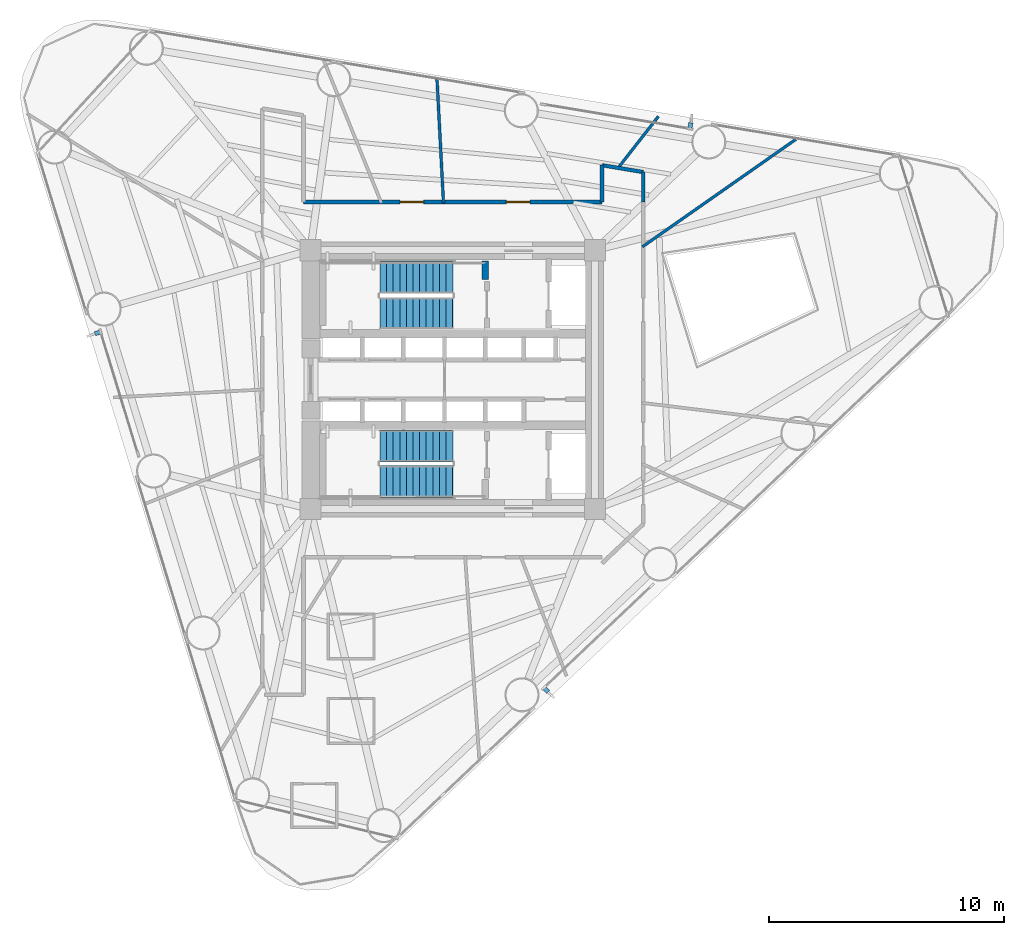
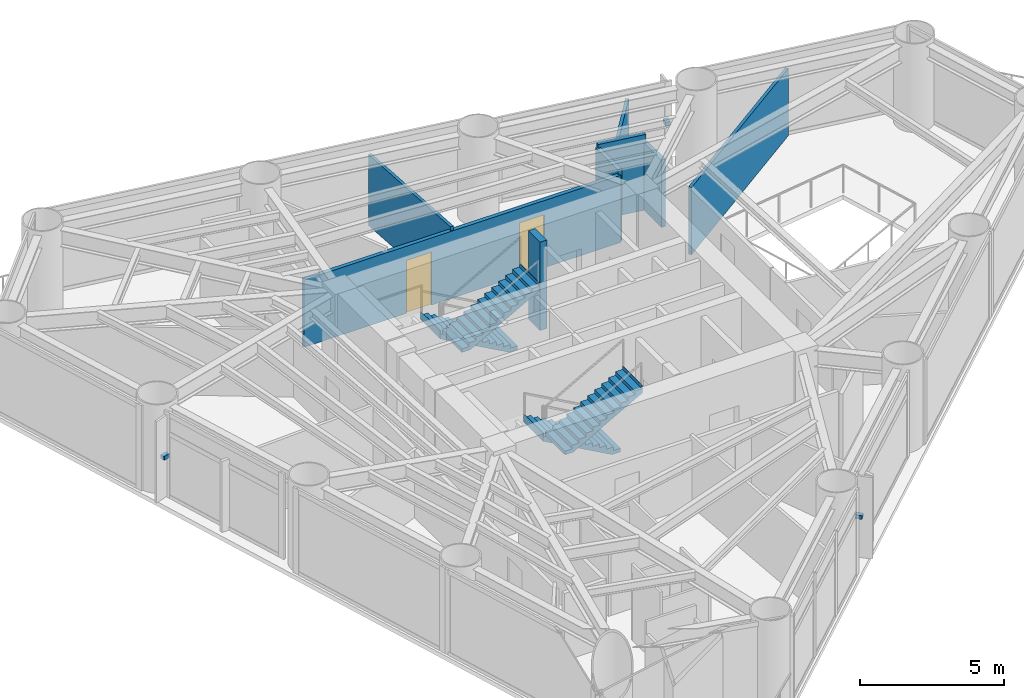
# One storey, part 7 of 10: 8 walls, 4 stair flights, 3 discrete accessories, 2 doors, 2 openings, 2 elements without a shape of their own.
"""IFC4 building model written with IfcOpenShell, lengths in metres."""

from ifc_helpers import new_model, si_unit, direction, frame, frame_2d, origin, origin_2d, place, context, subcontext, project, spatial, polyline, rectangle, outline, extrude, source, transform, mapped, material, layer, layer_set, type_object, element, fill, aggregate, save


model = new_model("IFC4")

# Units and contexts
model_context = context("Model", 3, precision=1e-05, world=origin(), true_north=direction((0.0, 1.0)))
body_context = subcontext(model_context, "Body", "Model", "MODEL_VIEW")
ifc_project = project(units=[si_unit("LENGTHUNIT", "METRE"), si_unit("AREAUNIT", "SQUARE_METRE"), si_unit("VOLUMEUNIT", "CUBIC_METRE"), si_unit("PLANEANGLEUNIT", "RADIAN"), si_unit("MASSUNIT", "GRAM", prefix="KILO")], contexts=[model_context])

# Site, building, storey
site_placement = place(None, origin())
site = spatial("IfcSite", under=ifc_project, at=site_placement, CompositionType="ELEMENT")
building_placement = place(site_placement, origin())
building = spatial("IfcBuilding", under=site, at=building_placement, Name="Yunling Apex Tower", CompositionType="ELEMENT")
storey_placement = place(building_placement, frame((0.0, 0.0, 104.89990234375)))
storey = spatial("IfcBuildingStorey", under=building, at=storey_placement, Name="L26", CompositionType="ELEMENT", Elevation=104.89990234375)

# Wall
ifc_material_1 = material(Name="Concrete C40", Category="concrete")
ifc_layer_1 = layer(ifc_material_1, 0.280029296875)
ifc_layer_set_1 = layer_set([ifc_layer_1], Name="Concrete C40")
wall_type_1 = type_object("IfcWallType", Name="WL-COR-8", PredefinedType="SHEAR", material=ifc_layer_set_1)
wall_1_placement = place(storey_placement, frame((1.3798828125, 4.25, 0.0), z_axis=(0.0, 0.0, 1.0), x_axis=(0.0, 1.0, 0.0)))
element("IfcWall", 1, at=wall_1_placement, inside=storey, type_object=wall_type_1, Name="L26 ST-1 East Landing Bearing Pier", PredefinedType="SHEAR", context=body_context, shape_type="SweptSolid", body=[
    extrude(rectangle(XDim=0.800048828125, YDim=0.280029296875, at=frame_2d((0.39990234375, 0.0))), origin(), (0.0, 0.0, 1.0), 3.75),
])

# Wall, openings, doors
ifc_material_2 = material(Name="Gypsum board acoustic partition")
ifc_layer_2 = layer(ifc_material_2, 0.159912109375)
ifc_layer_set_2 = layer_set([ifc_layer_2], Name="Gypsum board acoustic partition")
wall_type_2 = type_object("IfcWallType", Name="WL-PRT-1", PredefinedType="PARTITIONING", material=ifc_layer_set_2)
wall_2_placement = place(storey_placement, frame((-6.35009765625, 7.550048828125, 0.0), z_axis=(0.0, 0.0, 1.0), x_axis=(1.0, 0.0, 0.0)))
wall_2 = element("IfcWall", 2, at=wall_2_placement, inside=storey, type_object=wall_type_2, Name="WL-CORR-L26-07", PredefinedType="PARTITIONING", context=body_context, shape_type="SweptSolid", body=[
    extrude(rectangle(XDim=12.7001953125, YDim=0.159912109375, at=frame_2d((6.35009765625, 0.0))), origin(), (0.0, 0.0, 1.0), 2.85009765625),
])
opening_1_placement = place(wall_2_placement, frame((4.111083984375, 0.0, 0.0)))
opening_1 = element("IfcOpeningElement", 3, at=opening_1_placement, cuts=wall_2, Name="Opening DR-OFF-1", PredefinedType="OPENING", context=body_context, shape_type="SweptSolid", body=[
    extrude(rectangle(XDim=1.0, YDim=2.25, at=frame_2d((0.5, 1.125))), frame((0.0, 0.08984375, 0.0), z_axis=(0.0, -1.0, 0.0), x_axis=(1.0, 0.0, 0.0)), (0.0, 0.0, 1.0), 0.179931640625),
])
opening_2_placement = place(wall_2_placement, frame((8.63232421875, 0.0, 0.0)))
opening_2 = element("IfcOpeningElement", 4, at=opening_2_placement, cuts=wall_2, Name="Opening DR-OFF-1", PredefinedType="OPENING", context=body_context, shape_type="SweptSolid", body=[
    extrude(rectangle(XDim=1.0, YDim=2.25, at=frame_2d((0.5, 1.125))), frame((0.0, 0.08984375, 0.0), z_axis=(0.0, -1.0, 0.0), x_axis=(1.0, 0.0, 0.0)), (0.0, 0.0, 1.0), 0.179931640625),
])
ifc_material_3 = material(Name="Bronze anodised aluminium", Category="aluminium")
door_type = type_object("IfcDoorType", Name="DR-OFF-1", OperationType="NOTDEFINED", PredefinedType="DOOR", material=ifc_material_3)
door_1_placement = place(opening_1_placement, origin())
door_1 = element("IfcDoor", 5, at=door_1_placement, inside=storey, type_object=door_type, Name="L26 Business Reading Lounge Door", OperationType="SINGLE_SWING_RIGHT", OverallHeight=2.25, OverallWidth=1.0, PredefinedType="DOOR", context=body_context, shape_type="SweptSolid", body=[
    extrude(rectangle(XDim=1.0, YDim=2.25, at=frame_2d((0.5, 1.125))), frame((0.0, 0.02490234375, 0.0), z_axis=(0.0, -1.0, 0.0), x_axis=(1.0, 0.0, 0.0)), (0.0, 0.0, 1.0), 0.050048828125),
])
fill(opening_1, door_1)
door_2_placement = place(opening_2_placement, origin())
door_2 = element("IfcDoor", 6, at=door_2_placement, inside=storey, type_object=door_type, Name="L26 Business Reading Lounge Door", OperationType="SINGLE_SWING_LEFT", OverallHeight=2.25, OverallWidth=1.0, PredefinedType="DOOR", context=body_context, shape_type="SweptSolid", body=[
    extrude(rectangle(XDim=1.0, YDim=2.25, at=frame_2d((0.5, 1.125))), frame((0.0, 0.02490234375, 0.0), z_axis=(0.0, -1.0, 0.0), x_axis=(1.0, 0.0, 0.0)), (0.0, 0.0, 1.0), 0.050048828125),
])
fill(opening_2, door_2)

# Walls
wall_3_placement = place(storey_placement, frame((6.35009765625, 7.550048828125, 0.0), z_axis=(0.0, 0.0, 1.0), x_axis=(0.0, 1.0, 0.0)))
element("IfcWall", 7, at=wall_3_placement, inside=storey, type_object=wall_type_2, Name="WL-CORR-L26-08", PredefinedType="PARTITIONING", context=body_context, shape_type="SweptSolid", body=[
    extrude(rectangle(XDim=1.56298828125, YDim=0.159912109375, at=frame_2d((0.781494140625, 0.0))), origin(), (0.0, 0.0, 1.0), 3.050048828125),
])
wall_4_placement = place(storey_placement, frame((6.35009765625, 9.113037109375, 0.0), z_axis=(0.0, 0.0, 1.0), x_axis=(0.986386484459, -0.164443617317, 0.0)))
element("IfcWall", 8, at=wall_4_placement, inside=storey, type_object=wall_type_2, Name="WL-CORR-L26-09", PredefinedType="PARTITIONING", context=body_context, shape_type="SweptSolid", body=[
    extrude(rectangle(XDim=1.774169921875, YDim=0.159912109375, at=frame_2d((0.88720703125, 0.0))), origin(), (0.0, 0.0, 1.0), 3.2001953125),
])
wall_5_placement = place(storey_placement, frame((8.10009765625, 8.8212890625, 0.0), z_axis=(0.0, 0.0, 1.0), x_axis=(0.0, -1.0, 0.0)))
element("IfcWall", 9, at=wall_5_placement, inside=storey, type_object=wall_type_2, Name="WL-CORR-L26-10", PredefinedType="PARTITIONING", context=body_context, shape_type="SweptSolid", body=[
    extrude(rectangle(XDim=1.271240234375, YDim=0.159912109375, at=frame_2d((0.6357421875, 0.0))), origin(), (0.0, 0.0, 1.0), 2.85009765625),
])
ifc_layer_3 = layer(ifc_material_2, 0.1201171875)
ifc_layer_set_3 = layer_set([ifc_layer_3], Name="Gypsum board acoustic partition")
wall_type_3 = type_object("IfcWallType", Name="WL-PRT-3", PredefinedType="PARTITIONING", material=ifc_layer_set_3)
wall_6_placement = place(storey_placement, frame((8.06005859375, 5.643798828125, 0.0), z_axis=(0.0, 0.0, 1.0), x_axis=(0.819162822725, 0.573561042841, 0.0)))
element("IfcWall", 10, at=wall_6_placement, inside=storey, type_object=wall_type_3, Name="WL-RAD-L26-09", PredefinedType="PARTITIONING", context=body_context, shape_type="SweptSolid", body=[
    extrude(rectangle(XDim=7.96826171875, YDim=0.1201171875, at=frame_2d((3.984130859375, 0.0))), origin(), (0.0, 0.0, 1.0), 2.85009765625),
])
wall_7_placement = place(storey_placement, frame((7.003173828125, 8.963623046875, 0.0), z_axis=(0.0, 0.0, 1.0), x_axis=(0.615657467661, 0.788013884721, 0.0)))
element("IfcWall", 11, at=wall_7_placement, inside=storey, type_object=wall_type_3, Name="WL-RAD-L26-10", PredefinedType="PARTITIONING", context=body_context, shape_type="SweptSolid", body=[
    extrude(rectangle(XDim=2.822998046875, YDim=0.1201171875, at=frame_2d((1.41162109375, 0.0))), origin(), (0.0, 0.0, 1.0), 3.010009765625),
])
wall_8_placement = place(storey_placement, frame((-0.3935546875, 7.510009765625, 0.0), z_axis=(0.0, 0.0, 1.0), x_axis=(-0.052329543677, 0.998629870802, 0.0)))
element("IfcWall", 12, at=wall_8_placement, inside=storey, type_object=wall_type_3, Name="WL-RAD-L26-11", PredefinedType="PARTITIONING", context=body_context, shape_type="SweptSolid", body=[
    extrude(rectangle(XDim=5.253173828125, YDim=0.1201171875, at=frame_2d((2.62646484375, 0.0))), origin(), (0.0, 0.0, 1.0), 3.010009765625),
])

# Stair, stair flights
stair_type = type_object("IfcStairType", Name="ST-TWR-1", PredefinedType="HALF_TURN_STAIR", material=ifc_material_1)
stair_1_placement = place(storey_placement, origin())
stair_1 = element("IfcStair", 13, at=stair_1_placement, inside=storey, type_object=stair_type, Name="L26 North Core Smokeproof Exit Stair ST-1", PredefinedType="HALF_TURN_STAIR")
stair_flight_type = type_object("IfcStairFlightType", Name="SFL-TWR-1", PredefinedType="STRAIGHT", material=ifc_material_1)
stair_flight_1_placement = place(storey_placement, frame((-0.010009765625, 4.330078125, 0.0), z_axis=(0.0, 0.0, 1.0), x_axis=(-1.0, 0.0, 0.0)))
stair_flight_1 = element("IfcStairFlight", 14, at=stair_flight_1_placement, type_object=stair_flight_type, Name="ST-1 flight 1", NumberOfRisers=12, NumberOfTreads=11, PredefinedType="STRAIGHT", RiserHeight=0.15625, TreadLength=0.28, context=body_context, shape_type="SweptSolid", body=[
    extrude(outline(polyline([(-0.011962890625, 0.0), (-0.011962890625, 0.15625), (0.0, 0.15625), (0.280029296875, 0.15625), (0.280029296875, 0.3125), (0.56005859375, 0.3125), (0.56005859375, 0.46875), (0.840087890625, 0.46875), (0.840087890625, 0.625), (1.1201171875, 0.625), (1.1201171875, 0.78125), (1.39990234375, 0.78125), (1.39990234375, 0.9375), (1.679931640625, 0.9375), (1.679931640625, 1.09375), (1.9599609375, 1.09375), (1.9599609375, 1.25), (2.239990234375, 1.25), (2.239990234375, 1.40625), (2.52001953125, 1.40625), (2.52001953125, 1.5625), (2.800048828125, 1.5625), (2.800048828125, 1.71875), (3.080078125, 1.71875), (3.080078125, 1.875), (3.092041015625, 1.875), (3.092041015625, 1.53564453125), (0.328125, 0.0), (-0.011962890625, 0.0)])), frame((0.0, 0.68017578125, 0.0), z_axis=(0.0, -1.0, 0.0), x_axis=(1.0, 0.0, 0.0)), (0.0, 0.0, 1.0), 1.360107421875),
])
stair_flight_2_placement = place(storey_placement, frame((-3.090087890625, 2.820068359375, 1.875), z_axis=(0.0, 0.0, 1.0), x_axis=(1.0, 0.0, 0.0)))
stair_flight_2 = element("IfcStairFlight", 15, at=stair_flight_2_placement, type_object=stair_flight_type, Name="ST-1 flight 2", NumberOfRisers=12, NumberOfTreads=11, PredefinedType="STRAIGHT", RiserHeight=0.15625, TreadLength=0.28, context=body_context, shape_type="SweptSolid", body=[
    extrude(outline(polyline([(-0.011962890625, 0.0), (-0.011962890625, 0.15625), (0.0, 0.15625), (0.280029296875, 0.15625), (0.280029296875, 0.3125), (0.56005859375, 0.3125), (0.56005859375, 0.46875), (0.840087890625, 0.46875), (0.840087890625, 0.625), (1.1201171875, 0.625), (1.1201171875, 0.78125), (1.39990234375, 0.78125), (1.39990234375, 0.9375), (1.679931640625, 0.9375), (1.679931640625, 1.09375), (1.9599609375, 1.09375), (1.9599609375, 1.25), (2.239990234375, 1.25), (2.239990234375, 1.40625), (2.52001953125, 1.40625), (2.52001953125, 1.5625), (2.800048828125, 1.5625), (2.800048828125, 1.71875), (3.080078125, 1.71875), (3.080078125, 1.875), (3.092041015625, 1.875), (3.092041015625, 1.53564453125), (0.328125, 0.0), (-0.011962890625, 0.0)])), frame((0.0, 0.68017578125, 0.0), z_axis=(0.0, -1.0, 0.0), x_axis=(1.0, 0.0, 0.0)), (0.0, 0.0, 1.0), 1.360107421875),
])
aggregate(stair_1, [stair_flight_1, stair_flight_2])

stair_2_placement = place(storey_placement, origin())
stair_2 = element("IfcStair", 16, at=stair_2_placement, inside=storey, type_object=stair_type, Name="L26 South Core Smokeproof Exit Stair ST-2", PredefinedType="HALF_TURN_STAIR")
stair_flight_3_placement = place(storey_placement, frame((-0.010009765625, -2.820068359375, 0.0), z_axis=(0.0, 0.0, 1.0), x_axis=(-1.0, 0.0, 0.0)))
stair_flight_3 = element("IfcStairFlight", 17, at=stair_flight_3_placement, type_object=stair_flight_type, Name="ST-2 flight 1", NumberOfRisers=12, NumberOfTreads=11, PredefinedType="STRAIGHT", RiserHeight=0.15625, TreadLength=0.28, context=body_context, shape_type="SweptSolid", body=[
    extrude(outline(polyline([(-0.011962890625, 0.0), (-0.011962890625, 0.15625), (0.0, 0.15625), (0.280029296875, 0.15625), (0.280029296875, 0.3125), (0.56005859375, 0.3125), (0.56005859375, 0.46875), (0.840087890625, 0.46875), (0.840087890625, 0.625), (1.1201171875, 0.625), (1.1201171875, 0.78125), (1.39990234375, 0.78125), (1.39990234375, 0.9375), (1.679931640625, 0.9375), (1.679931640625, 1.09375), (1.9599609375, 1.09375), (1.9599609375, 1.25), (2.239990234375, 1.25), (2.239990234375, 1.40625), (2.52001953125, 1.40625), (2.52001953125, 1.5625), (2.800048828125, 1.5625), (2.800048828125, 1.71875), (3.080078125, 1.71875), (3.080078125, 1.875), (3.092041015625, 1.875), (3.092041015625, 1.53564453125), (0.328125, 0.0), (-0.011962890625, 0.0)])), frame((0.0, 0.68017578125, 0.0), z_axis=(0.0, -1.0, 0.0), x_axis=(1.0, 0.0, 0.0)), (0.0, 0.0, 1.0), 1.360107421875),
])
stair_flight_4_placement = place(storey_placement, frame((-3.090087890625, -4.330078125, 1.875), z_axis=(0.0, 0.0, 1.0), x_axis=(1.0, 0.0, 0.0)))
stair_flight_4 = element("IfcStairFlight", 18, at=stair_flight_4_placement, type_object=stair_flight_type, Name="ST-2 flight 2", NumberOfRisers=12, NumberOfTreads=11, PredefinedType="STRAIGHT", RiserHeight=0.15625, TreadLength=0.28, context=body_context, shape_type="SweptSolid", body=[
    extrude(outline(polyline([(-0.011962890625, 0.0), (-0.011962890625, 0.15625), (0.0, 0.15625), (0.280029296875, 0.15625), (0.280029296875, 0.3125), (0.56005859375, 0.3125), (0.56005859375, 0.46875), (0.840087890625, 0.46875), (0.840087890625, 0.625), (1.1201171875, 0.625), (1.1201171875, 0.78125), (1.39990234375, 0.78125), (1.39990234375, 0.9375), (1.679931640625, 0.9375), (1.679931640625, 1.09375), (1.9599609375, 1.09375), (1.9599609375, 1.25), (2.239990234375, 1.25), (2.239990234375, 1.40625), (2.52001953125, 1.40625), (2.52001953125, 1.5625), (2.800048828125, 1.5625), (2.800048828125, 1.71875), (3.080078125, 1.71875), (3.080078125, 1.875), (3.092041015625, 1.875), (3.092041015625, 1.53564453125), (0.328125, 0.0), (-0.011962890625, 0.0)])), frame((0.0, 0.68017578125, 0.0), z_axis=(0.0, -1.0, 0.0), x_axis=(1.0, 0.0, 0.0)), (0.0, 0.0, 1.0), 1.360107421875),
])
aggregate(stair_2, [stair_flight_3, stair_flight_4])

# Discrete accessories
ifc_material_4 = material(Name="Steel Q355B", Category="steel")
discrete_accessory_type = type_object("IfcDiscreteAccessoryType", Name="BK-FIN-1", PredefinedType="BRACKET", material=ifc_material_4)
shared_shape = source(origin(), body_context, "Body", "SweptSolid", [
    extrude(rectangle(XDim=0.179931640625, YDim=0.260009765625, at=origin_2d()), origin(), (0.0, 0.0, 1.0), 0.159912109375),
])
for number, where, z_axis, x_axis, name in (
    (19, (3.9658203125, -13.191162109375, 1.70263671875), (0.0, 0.0, 1.0), (0.725854756355, 0.687848001144, 0.0), "CW-L26-F1-B2-BRK-01-1"),
    (20, (10.10009765625, 10.789306640625, 1.70263671875), (0.0, 0.0, 1.0), (-0.986400586142, 0.164359008451, 0.0), "CW-L26-F2-B2-BRK-01-1"),
    (21, (-15.0888671875, 1.988037109375, 1.70263671875), (0.0, 0.0, 1.0), (0.292371704723, -0.956304755963, 0.0), "CW-L26-F3-B2-BRK-01-1"),
):
    element("IfcDiscreteAccessory", number, at=place(storey_placement, frame(where, z_axis=z_axis, x_axis=x_axis)), inside=storey, type_object=discrete_accessory_type, Name=name, PredefinedType="BRACKET", context=body_context, shape_type="MappedRepresentation", body=[
        mapped(shared_shape, transform((0.0, 0.0, 0.0), scale=1.0)),
    ])

save(model, "model.ifc")
